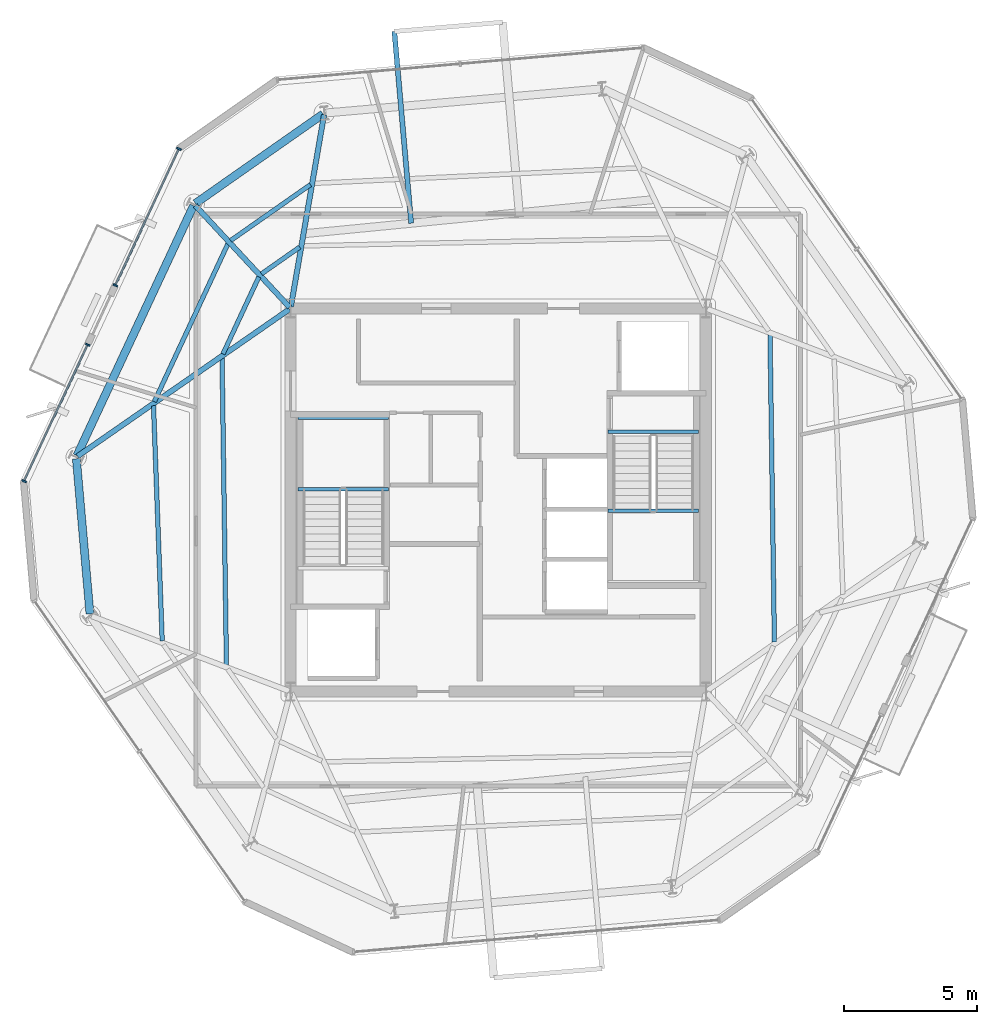
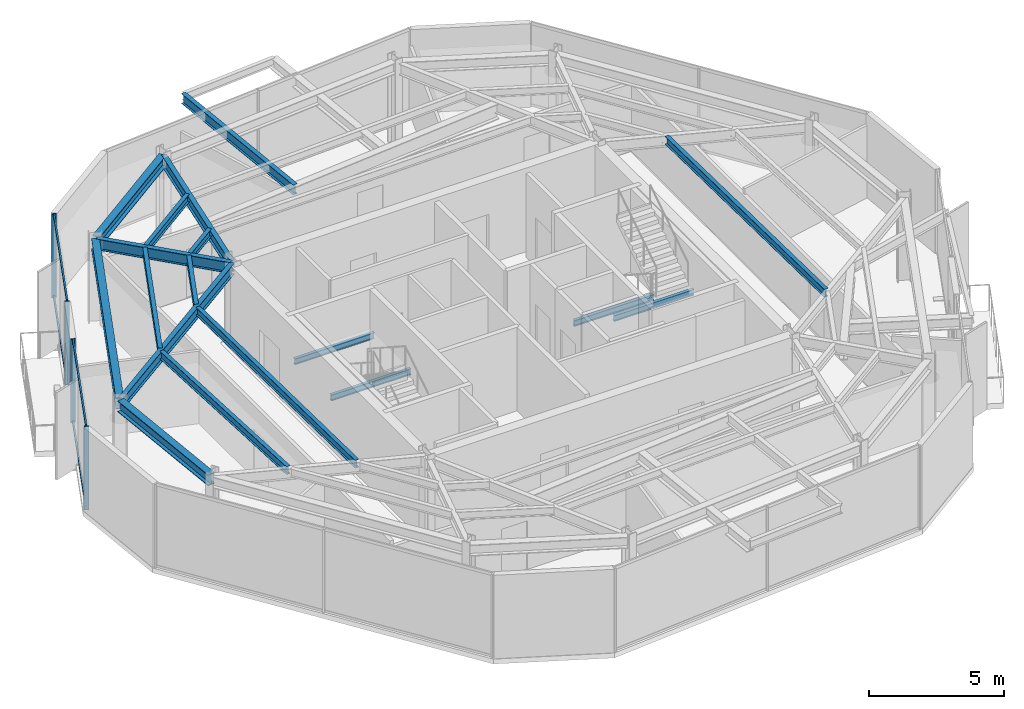
# One storey, part 3 of 11: 18 beams, 8 members, 2 elements without a shape of their own.
"""IFC4 building model written with IfcOpenShell, lengths in metres."""

from ifc_helpers import new_model, si_unit, direction, frame, origin, origin_2d, place, context, subcontext, project, spatial, rectangle, i_section, extrude, material, layer, layer_set, material_profile, profile_set, type_object, element, aggregate, save


model = new_model("IFC4")

# Units and contexts
model_context = context("Model", 3, precision=1e-05, world=origin(), true_north=direction((0.0, 1.0)))
body_context = subcontext(model_context, "Body", "Model", "MODEL_VIEW")
ifc_project = project(units=[si_unit("LENGTHUNIT", "METRE"), si_unit("AREAUNIT", "SQUARE_METRE"), si_unit("VOLUMEUNIT", "CUBIC_METRE"), si_unit("PLANEANGLEUNIT", "RADIAN"), si_unit("MASSUNIT", "GRAM", prefix="KILO")], contexts=[model_context])

# Site, building, storey
site_placement = place(None, origin())
site = spatial("IfcSite", under=ifc_project, at=site_placement, CompositionType="ELEMENT")
building_placement = place(site_placement, origin())
building = spatial("IfcBuilding", under=site, at=building_placement, Name="Kranzbogen Civic Tower", CompositionType="ELEMENT")
storey_placement = place(building_placement, frame((0.0, 0.0, 286.199951171875)))
storey = spatial("IfcBuildingStorey", under=building, at=storey_placement, Name="L69", CompositionType="ELEMENT", Elevation=286.199951171875)

# Beam
ifc_material_1 = material(Name="Steel S355", Category="steel")
ifc_material_profile_1 = material_profile(ifc_material_1, i_section(OverallWidth=0.18994140625, OverallDepth=0.449951171875, WebThickness=0.009521484375, FlangeThickness=0.0146484375, at=origin_2d()), Name="IPE 450")
ifc_profile_set_1 = profile_set([ifc_material_profile_1], Name="Steel S355")
beam_type_1 = type_object("IfcBeamType", Name="Braced Terrace Edge Beam IPE 450", PredefinedType="BEAM", material=ifc_profile_set_1)
beam_1_placement = place(storey_placement, frame((21.72900390625, 35.39794921875, 3.525146484375), z_axis=(-0.087245661611, 0.996186827121, 0.0), x_axis=(-0.996186827121, -0.087245661611, 0.0)))
element("IfcBeam", 1, at=beam_1_placement, inside=storey, type_object=beam_type_1, Name="L70 back-spanned terrace beam L70-TB1-2", PredefinedType="BEAM", context=body_context, shape_type="SweptSolid", body=[
    extrude(i_section(OverallWidth=0.18994140625, OverallDepth=0.449951171875, WebThickness=0.009521484375, FlangeThickness=0.0146484375, at=origin_2d()), origin(), (0.0, 0.0, 1.0), 7.233642578125),
])

# Curtain wall, members
ifc_material_2 = material(Name="Pale Anodised Aluminium", Category="aluminium")
ifc_layer = layer(ifc_material_2, 0.219970703125, Name="Pale Anodised Aluminium")
ifc_layer_set = layer_set([ifc_layer], Name="Pale Anodised Aluminium")
curtain_wall_type = type_object("IfcCurtainWallType", Name="Zone 4 Stick Curtain Wall System CW-05", PredefinedType="USERDEFINED", material=ifc_layer_set)
curtain_wall_1_placement = place(storey_placement, origin())
curtain_wall_1 = element("IfcCurtainWall", 2, at=curtain_wall_1_placement, inside=storey, type_object=curtain_wall_type, Name="L69 curtain wall CW-L69-F2-S1", ObjectType="STICK CURTAIN WALL", PredefinedType="USERDEFINED")
ifc_material_profile_2 = material_profile(ifc_material_2, rectangle(XDim=0.06494140625, YDim=0.179931640625, at=origin_2d()), Name="ALU-M 65x180")
ifc_profile_set_2 = profile_set([ifc_material_profile_2], Name="Pale Anodised Aluminium")
member_type_1 = type_object("IfcMemberType", Name="Curtain Wall Mullion ALU-M 65x180", PredefinedType="MULLION", material=ifc_profile_set_2)
member_1_placement = place(storey_placement, frame((13.00537109375, 38.19189453125, 0.0), z_axis=(0.0, 0.0, 1.0), x_axis=(-0.422626886136, -0.906303765365, 0.0)))
member_1 = element("IfcMember", 3, at=member_1_placement, type_object=member_type_1, Name="CW-05 mullion 1", PredefinedType="MULLION", context=body_context, shape_type="SweptSolid", body=[
    extrude(rectangle(XDim=0.06494140625, YDim=0.179931640625, at=origin_2d()), origin(), (0.0, 0.0, 1.0), 3.780029296875),
])
member_2_placement = place(storey_placement, frame((10.61474609375, 33.065185546875, 0.0), z_axis=(0.0, 0.0, 1.0), x_axis=(-0.422626886136, -0.906303765365, 0.0)))
member_2 = element("IfcMember", 4, at=member_2_placement, type_object=member_type_1, Name="CW-05 mullion 2", PredefinedType="MULLION", context=body_context, shape_type="SweptSolid", body=[
    extrude(rectangle(XDim=0.06494140625, YDim=0.179931640625, at=origin_2d()), origin(), (0.0, 0.0, 1.0), 3.780029296875),
])

curtain_wall_2_placement = place(storey_placement, origin())
curtain_wall_2 = element("IfcCurtainWall", 5, at=curtain_wall_2_placement, inside=storey, type_object=curtain_wall_type, Name="L69 curtain wall CW-L69-F2-S2", ObjectType="STICK CURTAIN WALL", PredefinedType="USERDEFINED")
member_3_placement = place(storey_placement, frame((9.575439453125, 30.835693359375, 0.0), z_axis=(0.0, 0.0, 1.0), x_axis=(-0.422626886136, -0.906303765365, 0.0)))
member_3 = element("IfcMember", 6, at=member_3_placement, type_object=member_type_1, Name="CW-05 mullion 1", PredefinedType="MULLION", context=body_context, shape_type="SweptSolid", body=[
    extrude(rectangle(XDim=0.06494140625, YDim=0.179931640625, at=origin_2d()), origin(), (0.0, 0.0, 1.0), 3.780029296875),
])
member_4_placement = place(storey_placement, frame((7.1845703125, 25.709228515625, 0.0), z_axis=(0.0, 0.0, 1.0), x_axis=(-0.422626886136, -0.906303765365, 0.0)))
member_4 = element("IfcMember", 7, at=member_4_placement, type_object=member_type_1, Name="CW-05 mullion 2", PredefinedType="MULLION", context=body_context, shape_type="SweptSolid", body=[
    extrude(rectangle(XDim=0.06494140625, YDim=0.179931640625, at=origin_2d()), origin(), (0.0, 0.0, 1.0), 3.780029296875),
])

# Member
ifc_material_profile_3 = material_profile(ifc_material_2, rectangle(XDim=0.06494140625, YDim=0.135009765625, at=origin_2d()), Name="ALU-T 65x135")
ifc_profile_set_3 = profile_set([ifc_material_profile_3], Name="Pale Anodised Aluminium")
member_type_2 = type_object("IfcMemberType", Name="Curtain Wall Transom ALU-T 65x135", PredefinedType="USERDEFINED", material=ifc_profile_set_3)
member_5_placement = place(storey_placement, frame((12.99267578125, 38.16455078125, 0.030029296875), z_axis=(-0.422617978463, -0.906307919131, 0.0), x_axis=(0.906307919131, -0.422617978463, 0.0)))
member_5 = element("IfcMember", 8, at=member_5_placement, type_object=member_type_2, Name="CW-05 transom 1.1", ObjectType="TRANSOM", PredefinedType="USERDEFINED", context=body_context, shape_type="SweptSolid", body=[
    extrude(rectangle(XDim=0.06494140625, YDim=0.135009765625, at=origin_2d()), origin(), (0.0, 0.0, 1.0), 5.5966796875),
])

member_6_placement = place(storey_placement, frame((12.99267578125, 38.16455078125, 3.75), z_axis=(-0.422617978463, -0.906307919131, 0.0), x_axis=(0.906307919131, -0.422617978463, 0.0)))
member_6 = element("IfcMember", 9, at=member_6_placement, type_object=member_type_2, Name="CW-05 transom 1.2", ObjectType="TRANSOM", PredefinedType="USERDEFINED", context=body_context, shape_type="SweptSolid", body=[
    extrude(rectangle(XDim=0.06494140625, YDim=0.135009765625, at=origin_2d()), origin(), (0.0, 0.0, 1.0), 5.5966796875),
])

aggregate(curtain_wall_1, [member_1, member_2, member_5, member_6])

member_7_placement = place(storey_placement, frame((9.562744140625, 30.80859375, 0.030029296875), z_axis=(-0.422653809005, -0.906291210226, 0.0), x_axis=(0.906291210226, -0.422653809005, 0.0)))
member_7 = element("IfcMember", 10, at=member_7_placement, type_object=member_type_2, Name="CW-05 transom 1.1", ObjectType="TRANSOM", PredefinedType="USERDEFINED", context=body_context, shape_type="SweptSolid", body=[
    extrude(rectangle(XDim=0.06494140625, YDim=0.135009765625, at=origin_2d()), origin(), (0.0, 0.0, 1.0), 5.5966796875),
])

member_8_placement = place(storey_placement, frame((9.562744140625, 30.80859375, 3.75), z_axis=(-0.422653809005, -0.906291210226, 0.0), x_axis=(0.906291210226, -0.422653809005, 0.0)))
member_8 = element("IfcMember", 11, at=member_8_placement, type_object=member_type_2, Name="CW-05 transom 1.2", ObjectType="TRANSOM", PredefinedType="USERDEFINED", context=body_context, shape_type="SweptSolid", body=[
    extrude(rectangle(XDim=0.06494140625, YDim=0.135009765625, at=origin_2d()), origin(), (0.0, 0.0, 1.0), 5.5966796875),
])

aggregate(curtain_wall_2, [member_3, member_4, member_7, member_8])

# Beams
ifc_material_profile_4 = material_profile(ifc_material_1, i_section(OverallWidth=0.300048828125, OverallDepth=0.5, WebThickness=0.014404296875, FlangeThickness=0.028076171875, at=origin_2d()), Name="HEB 500")
ifc_profile_set_4 = profile_set([ifc_material_profile_4], Name="Steel S355")
beam_type_2 = type_object("IfcBeamType", Name="Perimeter Tube Spandrel Beam HEB 500", PredefinedType="SPANDREL", material=ifc_profile_set_4)
beam_2_placement = place(storey_placement, frame((18.41796875, 39.501953125, 3.530029296875), z_axis=(-0.819059436004, -0.57370867197, 0.0), x_axis=(0.57370867197, -0.819059436004, 0.0)))
element("IfcBeam", 12, at=beam_2_placement, inside=storey, type_object=beam_type_2, Name="L69 perimeter spandrel beam 10", PredefinedType="SPANDREL", context=body_context, shape_type="SweptSolid", body=[
    extrude(i_section(OverallWidth=0.300048828125, OverallDepth=0.5, WebThickness=0.014404296875, FlangeThickness=0.028076171875, at=origin_2d()), origin(), (0.0, 0.0, 1.0), 5.85302734375),
])
beam_3_placement = place(storey_placement, frame((13.550048828125, 36.055908203125, 3.530029296875), z_axis=(-0.422668780888, -0.906284227857, 0.0), x_axis=(0.906284227857, -0.422668780888, 0.0)))
element("IfcBeam", 13, at=beam_3_placement, inside=storey, type_object=beam_type_2, Name="L69 perimeter spandrel beam 11", PredefinedType="SPANDREL", context=body_context, shape_type="SweptSolid", body=[
    extrude(i_section(OverallWidth=0.300048828125, OverallDepth=0.5, WebThickness=0.014404296875, FlangeThickness=0.028076171875, at=origin_2d()), origin(), (0.0, 0.0, 1.0), 10.363037109375),
])
beam_4_placement = place(storey_placement, frame((9.14990234375, 26.550048828125, 3.530029296875), z_axis=(0.087326362434, -0.99617975608, 0.0), x_axis=(0.99617975608, 0.087326362434, 0.0)))
element("IfcBeam", 14, at=beam_4_placement, inside=storey, type_object=beam_type_2, Name="L69 perimeter spandrel beam 12", PredefinedType="SPANDREL", context=body_context, shape_type="SweptSolid", body=[
    extrude(i_section(OverallWidth=0.300048828125, OverallDepth=0.5, WebThickness=0.014404296875, FlangeThickness=0.028076171875, at=origin_2d()), origin(), (0.0, 0.0, 1.0), 5.8515625),
])
ifc_material_profile_5 = material_profile(ifc_material_1, i_section(OverallWidth=0.199951171875, OverallDepth=0.5, WebThickness=0.01025390625, FlangeThickness=0.01611328125, at=origin_2d()), Name="IPE 500")
ifc_profile_set_5 = profile_set([ifc_material_profile_5], Name="Steel S355")
beam_type_3 = type_object("IfcBeamType", Name="Radial Tower Floor Girder IPE 500", PredefinedType="BEAM", material=ifc_profile_set_5)
beam_5_placement = place(storey_placement, frame((18.45703125, 39.47705078125, 3.530029296875), z_axis=(-0.170249558486, -0.985400978199, 0.0), x_axis=(0.985400978199, -0.170249558486, 0.0)))
element("IfcBeam", 15, at=beam_5_placement, inside=storey, type_object=beam_type_3, Name="L69 radial floor girder 10", PredefinedType="BEAM", context=body_context, shape_type="SweptSolid", body=[
    extrude(i_section(OverallWidth=0.199951171875, OverallDepth=0.5, WebThickness=0.01025390625, FlangeThickness=0.01611328125, at=origin_2d()), origin(), (0.0, 0.0, 1.0), 7.324951171875),
])
beam_6_placement = place(storey_placement, frame((13.615966796875, 36.06591796875, 3.530029296875), z_axis=(0.679827353702, -0.733372190064, 0.0), x_axis=(0.733372190064, 0.679827353702, 0.0)))
element("IfcBeam", 16, at=beam_6_placement, inside=storey, type_object=beam_type_3, Name="L69 radial floor girder 11", PredefinedType="BEAM", context=body_context, shape_type="SweptSolid", body=[
    extrude(i_section(OverallWidth=0.199951171875, OverallDepth=0.5, WebThickness=0.01025390625, FlangeThickness=0.01611328125, at=origin_2d()), origin(), (0.0, 0.0, 1.0), 5.211669921875),
])
beam_7_placement = place(storey_placement, frame((9.194091796875, 26.64404296875, 3.530029296875), z_axis=(0.821542812331, 0.570146829779, 0.0), x_axis=(-0.570146829779, 0.821542812331, 0.0)))
element("IfcBeam", 17, at=beam_7_placement, inside=storey, type_object=beam_type_3, Name="L69 radial floor girder 12", PredefinedType="BEAM", context=body_context, shape_type="SweptSolid", body=[
    extrude(i_section(OverallWidth=0.199951171875, OverallDepth=0.5, WebThickness=0.01025390625, FlangeThickness=0.01611328125, at=origin_2d()), origin(), (0.0, 0.0, 1.0), 9.68505859375),
])
ifc_material_profile_6 = material_profile(ifc_material_1, i_section(OverallWidth=0.169921875, OverallDepth=0.360107421875, WebThickness=0.008056640625, FlangeThickness=0.0126953125, at=origin_2d()), Name="IPE 360")
ifc_profile_set_6 = profile_set([ifc_material_profile_6], Name="Steel S355")
beam_type_4 = type_object("IfcBeamType", Name="Secondary Composite Floor Joist IPE 360", PredefinedType="JOIST", material=ifc_profile_set_6)
beam_8_placement = place(storey_placement, frame((35.3759765625, 19.6689453125, 3.60009765625), z_axis=(-0.014221385906, 0.999898870978, 0.0), x_axis=(-0.999898870978, -0.014221385906, 0.0)))
element("IfcBeam", 18, at=beam_8_placement, inside=storey, type_object=beam_type_4, Name="L69 secondary floor joist 2.06", PredefinedType="JOIST", context=body_context, shape_type="SweptSolid", body=[
    extrude(i_section(OverallWidth=0.169921875, OverallDepth=0.360107421875, WebThickness=0.008056640625, FlangeThickness=0.0126953125, at=origin_2d()), origin(), (0.0, 0.0, 1.0), 11.536376953125),
])
beam_9_placement = place(storey_placement, frame((17.945068359375, 36.84912109375, 3.60009765625), z_axis=(-0.819006333711, -0.573784476385, 0.0), x_axis=(0.573784476385, -0.819006333711, 0.0)))
element("IfcBeam", 19, at=beam_9_placement, inside=storey, type_object=beam_type_4, Name="L69 secondary floor joist 1.10", PredefinedType="JOIST", context=body_context, shape_type="SweptSolid", body=[
    extrude(i_section(OverallWidth=0.169921875, OverallDepth=0.360107421875, WebThickness=0.008056640625, FlangeThickness=0.0126953125, at=origin_2d()), origin(), (0.0, 0.0, 1.0), 3.661865234375),
])
beam_10_placement = place(storey_placement, frame((17.5400390625, 34.501953125, 3.60009765625), z_axis=(-0.818956727849, -0.573855276103, 0.0), x_axis=(0.573855276103, -0.818956727849, 0.0)))
element("IfcBeam", 20, at=beam_10_placement, inside=storey, type_object=beam_type_4, Name="L69 secondary floor joist 2.10", PredefinedType="JOIST", context=body_context, shape_type="SweptSolid", body=[
    extrude(i_section(OverallWidth=0.169921875, OverallDepth=0.360107421875, WebThickness=0.008056640625, FlangeThickness=0.0126953125, at=origin_2d()), origin(), (0.0, 0.0, 1.0), 1.751220703125),
])
beam_11_placement = place(storey_placement, frame((14.845947265625, 34.6298828125, 3.60009765625), z_axis=(-0.422542528713, -0.906343098075, 0.0), x_axis=(0.906343098075, -0.422542528713, 0.0)))
element("IfcBeam", 21, at=beam_11_placement, inside=storey, type_object=beam_type_4, Name="L69 secondary floor joist 1.11", PredefinedType="JOIST", context=body_context, shape_type="SweptSolid", body=[
    extrude(i_section(OverallWidth=0.169921875, OverallDepth=0.360107421875, WebThickness=0.008056640625, FlangeThickness=0.0126953125, at=origin_2d()), origin(), (0.0, 0.0, 1.0), 6.548095703125),
])
beam_12_placement = place(storey_placement, frame((16.006103515625, 33.37890625, 3.60009765625), z_axis=(-0.422651143991, -0.906292453065, 0.0), x_axis=(0.906292453065, -0.422651143991, 0.0)))
element("IfcBeam", 22, at=beam_12_placement, inside=storey, type_object=beam_type_4, Name="L69 secondary floor joist 2.11", PredefinedType="JOIST", context=body_context, shape_type="SweptSolid", body=[
    extrude(i_section(OverallWidth=0.169921875, OverallDepth=0.360107421875, WebThickness=0.008056640625, FlangeThickness=0.0126953125, at=origin_2d()), origin(), (0.0, 0.0, 1.0), 3.1943359375),
])
beam_13_placement = place(storey_placement, frame((12.048095703125, 28.5419921875, 3.60009765625), z_axis=(0.036992246074, -0.999315552631, 0.0), x_axis=(0.999315552631, 0.036992246074, 0.0)))
element("IfcBeam", 23, at=beam_13_placement, inside=storey, type_object=beam_type_4, Name="L69 secondary floor joist 1.12", PredefinedType="JOIST", context=body_context, shape_type="SweptSolid", body=[
    extrude(i_section(OverallWidth=0.169921875, OverallDepth=0.360107421875, WebThickness=0.008056640625, FlangeThickness=0.0126953125, at=origin_2d()), origin(), (0.0, 0.0, 1.0), 8.837158203125),
])
beam_14_placement = place(storey_placement, frame((14.6240234375, 30.3310546875, 3.60009765625), z_axis=(0.014221385906, -0.999898870978, 0.0), x_axis=(0.999898870978, 0.014221385906, 0.0)))
element("IfcBeam", 24, at=beam_14_placement, inside=storey, type_object=beam_type_4, Name="L69 secondary floor joist 2.12", PredefinedType="JOIST", context=body_context, shape_type="SweptSolid", body=[
    extrude(i_section(OverallWidth=0.169921875, OverallDepth=0.360107421875, WebThickness=0.008056640625, FlangeThickness=0.0126953125, at=origin_2d()), origin(), (0.0, 0.0, 1.0), 11.536376953125),
])
ifc_material_profile_7 = material_profile(ifc_material_1, i_section(OverallWidth=0.135009765625, OverallDepth=0.27001953125, WebThickness=0.006591796875, FlangeThickness=0.01025390625, at=origin_2d()), Name="IPE 270")
ifc_profile_set_7 = profile_set([ifc_material_profile_7], Name="Steel S355")
beam_type_5 = type_object("IfcBeamType", Name="Stair Landing Support Beam IPE 270", PredefinedType="JOIST", material=ifc_profile_set_7)
for number, where, z_axis, x_axis, name in (
    (25, (20.8798828125, 25.39990234375, 1.6650390625), (-1.0, 0.0, 0.0), (0.0, -1.0, 0.0), "L69 ST-T1 landing support beam 1.1"),
    (26, (20.8798828125, 28.10009765625, 1.6650390625), (-1.0, 0.0, 0.0), (0.0, -1.0, 0.0), "L69 ST-T1 landing support beam 1.2"),
    (27, (29.1201171875, 27.56005859375, -0.35498046875), (1.0, 0.0, 0.0), (0.0, 1.0, 0.0), "L69 ST-T2 stair floor header beam"),
    (28, (29.1201171875, 24.60009765625, 1.6650390625), (1.0, 0.0, 0.0), (0.0, 1.0, 0.0), "L69 ST-T2 landing support beam 1.1"),
):
    element("IfcBeam", number, at=place(storey_placement, frame(where, z_axis=z_axis, x_axis=x_axis)), inside=storey, type_object=beam_type_5, Name=name, PredefinedType="JOIST", context=body_context, shape_type="SweptSolid", body=[
        extrude(i_section(OverallWidth=0.135009765625, OverallDepth=0.27001953125, WebThickness=0.006591796875, FlangeThickness=0.01025390625, at=origin_2d()), origin(), (0.0, 0.0, 1.0), 3.409912109375),
    ])

save(model, "model.ifc")
